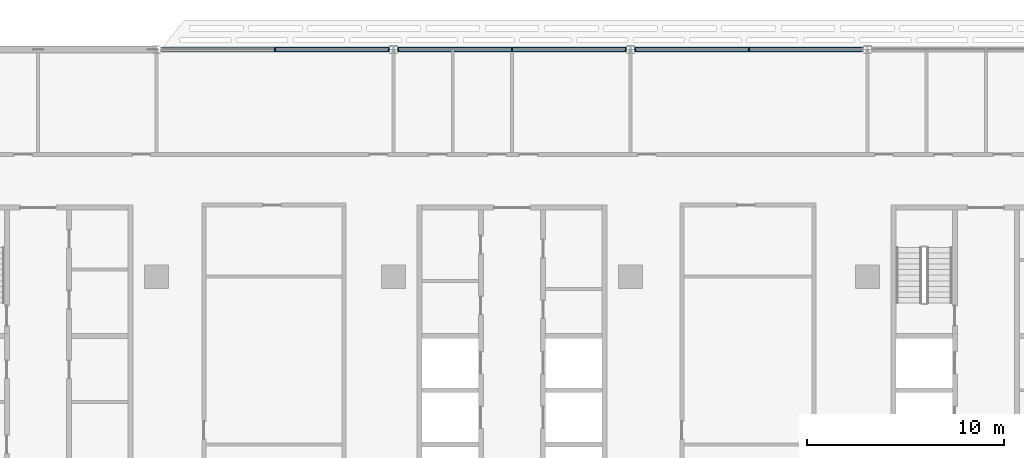
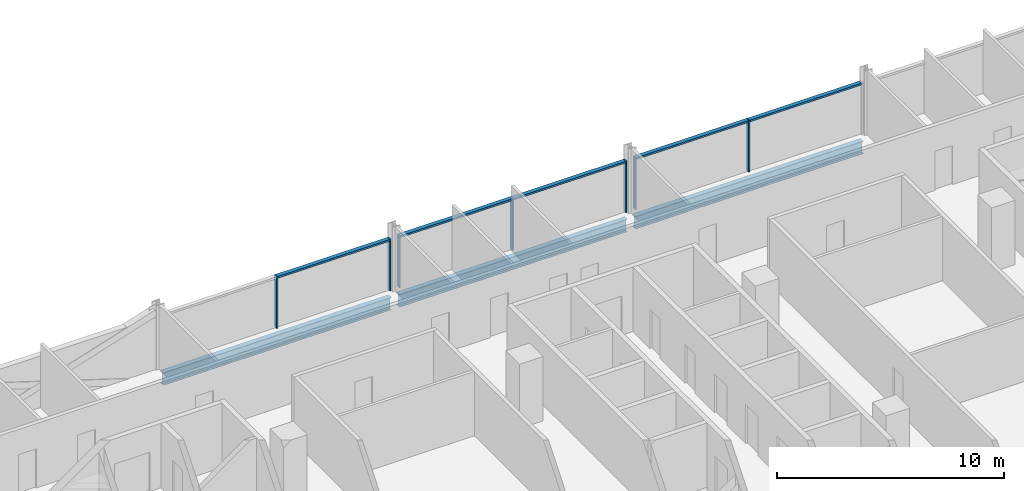
# One storey, part 7 of 27: 12 members, 3 beams, 3 elements without a shape of their own.
"""IFC4 building model written with IfcOpenShell, lengths in metres."""

from ifc_helpers import new_model, si_unit, direction, frame, origin, origin_2d, place, context, subcontext, project, spatial, rectangle, i_section, extrude, material, material_profile, profile_set, type_object, element, aggregate, save


model = new_model("IFC4")

# Units and contexts
model_context = context("Model", 3, precision=1e-05, world=origin(), true_north=direction((0.0, 1.0)))
body_context = subcontext(model_context, "Body", "Model", "MODEL_VIEW")
ifc_project = project(units=[si_unit("LENGTHUNIT", "METRE"), si_unit("AREAUNIT", "SQUARE_METRE"), si_unit("VOLUMEUNIT", "CUBIC_METRE"), si_unit("PLANEANGLEUNIT", "RADIAN"), si_unit("MASSUNIT", "GRAM", prefix="KILO")], contexts=[model_context])

# Site, building, storey
site_placement = place(None, origin())
site = spatial("IfcSite", under=ifc_project, at=site_placement, CompositionType="ELEMENT")
building_placement = place(site_placement, origin())
building = spatial("IfcBuilding", under=site, at=building_placement, Name="Mahtab Terrace Research Tower", CompositionType="ELEMENT")
storey_placement = place(building_placement, frame((0.0, 0.0, 170.60009765625)))
storey = spatial("IfcBuildingStorey", under=building, at=storey_placement, Name="L40", CompositionType="ELEMENT", Elevation=170.60009765625)

# Curtain wall, members
ifc_material_1 = material(Name="Laboratory ribbon curtain wall")
curtain_wall_type = type_object("IfcCurtainWallType", Name="Laboratory ribbon curtain wall", PredefinedType="NOTDEFINED", material=ifc_material_1)
curtain_wall_1_placement = place(storey_placement, origin())
curtain_wall_1 = element("IfcCurtainWall", 1, at=curtain_wall_1_placement, inside=storey, type_object=curtain_wall_type, Name="EN.L40.3.5", PredefinedType="NOTDEFINED")
ifc_material_2 = material(Name="Natural anodised aluminium", Category="aluminium")
ifc_material_profile_1 = material_profile(ifc_material_2, rectangle(XDim=0.199951171875, YDim=0.06494140625, at=origin_2d()), Name="MULLION 65x200")
ifc_profile_set_1 = profile_set([ifc_material_profile_1], Name="Natural anodised aluminium")
member_type_1 = type_object("IfcMemberType", Name="Laboratory ribbon curtain wall mullion", PredefinedType="MULLION", material=ifc_profile_set_1)
member_1_placement = place(storey_placement, frame((12.0, 23.0, 0.0), z_axis=(0.0, 0.0, 1.0), x_axis=(0.0, -1.0, 0.0)))
member_1 = element("IfcMember", 2, at=member_1_placement, type_object=member_type_1, Name="CWL-5 mullion 2", PredefinedType="MULLION", context=body_context, shape_type="SweptSolid", body=[
    extrude(rectangle(XDim=0.199951171875, YDim=0.06494140625, at=origin_2d()), origin(), (0.0, 0.0, 1.0), 2.78173828125),
])
member_2_placement = place(storey_placement, frame((6.240478515625, 23.0, 0.0), z_axis=(0.0, 0.0, 1.0), x_axis=(0.0, -1.0, 0.0)))
member_2 = element("IfcMember", 3, at=member_2_placement, type_object=member_type_1, Name="CWL-5 mullion 3", PredefinedType="MULLION", context=body_context, shape_type="SweptSolid", body=[
    extrude(rectangle(XDim=0.199951171875, YDim=0.06494140625, at=origin_2d()), origin(), (0.0, 0.0, 1.0), 2.78173828125),
])

curtain_wall_2_placement = place(storey_placement, origin())
curtain_wall_2 = element("IfcCurtainWall", 4, at=curtain_wall_2_placement, inside=storey, type_object=curtain_wall_type, Name="EN.L40.3.6", PredefinedType="NOTDEFINED")
member_3_placement = place(storey_placement, frame((5.759521484375, 23.0, 0.0), z_axis=(0.0, 0.0, 1.0), x_axis=(0.0, -1.0, 0.0)))
member_3 = element("IfcMember", 5, at=member_3_placement, type_object=member_type_1, Name="CWL-5 mullion 1", PredefinedType="MULLION", context=body_context, shape_type="SweptSolid", body=[
    extrude(rectangle(XDim=0.199951171875, YDim=0.06494140625, at=origin_2d()), origin(), (0.0, 0.0, 1.0), 2.78173828125),
])
member_4_placement = place(storey_placement, frame((0.0, 23.0, 0.0), z_axis=(0.0, 0.0, 1.0), x_axis=(0.0, -1.0, 0.0)))
member_4 = element("IfcMember", 6, at=member_4_placement, type_object=member_type_1, Name="CWL-5 mullion 2", PredefinedType="MULLION", context=body_context, shape_type="SweptSolid", body=[
    extrude(rectangle(XDim=0.199951171875, YDim=0.06494140625, at=origin_2d()), origin(), (0.0, 0.0, 1.0), 2.78173828125),
])
member_5_placement = place(storey_placement, frame((-5.759521484375, 23.0, 0.0), z_axis=(0.0, 0.0, 1.0), x_axis=(0.0, -1.0, 0.0)))
member_5 = element("IfcMember", 7, at=member_5_placement, type_object=member_type_1, Name="CWL-5 mullion 3", PredefinedType="MULLION", context=body_context, shape_type="SweptSolid", body=[
    extrude(rectangle(XDim=0.199951171875, YDim=0.06494140625, at=origin_2d()), origin(), (0.0, 0.0, 1.0), 2.78173828125),
])

curtain_wall_3_placement = place(storey_placement, origin())
curtain_wall_3 = element("IfcCurtainWall", 8, at=curtain_wall_3_placement, inside=storey, type_object=curtain_wall_type, Name="EN.L40.3.7", PredefinedType="NOTDEFINED")
member_6_placement = place(storey_placement, frame((-6.240478515625, 23.0, 0.0), z_axis=(0.0, 0.0, 1.0), x_axis=(0.0, -1.0, 0.0)))
member_6 = element("IfcMember", 9, at=member_6_placement, type_object=member_type_1, Name="CWL-5 mullion 1", PredefinedType="MULLION", context=body_context, shape_type="SweptSolid", body=[
    extrude(rectangle(XDim=0.199951171875, YDim=0.06494140625, at=origin_2d()), origin(), (0.0, 0.0, 1.0), 2.78173828125),
])
member_7_placement = place(storey_placement, frame((-12.0, 23.0, 0.0), z_axis=(0.0, 0.0, 1.0), x_axis=(0.0, -1.0, 0.0)))
member_7 = element("IfcMember", 10, at=member_7_placement, type_object=member_type_1, Name="CWL-5 mullion 2", PredefinedType="MULLION", context=body_context, shape_type="SweptSolid", body=[
    extrude(rectangle(XDim=0.199951171875, YDim=0.06494140625, at=origin_2d()), origin(), (0.0, 0.0, 1.0), 2.78173828125),
])

# Member
ifc_material_profile_2 = material_profile(ifc_material_2, rectangle(XDim=0.199951171875, YDim=0.10009765625, at=origin_2d()), Name="TRANSOM 100x200")
ifc_profile_set_2 = profile_set([ifc_material_profile_2], Name="Natural anodised aluminium")
member_type_2 = type_object("IfcMemberType", Name="Laboratory ribbon curtain wall transom", PredefinedType="USERDEFINED", material=ifc_profile_set_2)
member_8_placement = place(storey_placement, frame((17.72705078125, 23.0, 2.731689453125), z_axis=(-1.0, 0.0, 0.0), x_axis=(0.0, -1.0, 0.0)))
member_8 = element("IfcMember", 11, at=member_8_placement, type_object=member_type_2, Name="CWL-5 transom 1", ObjectType="TRANSOM", PredefinedType="USERDEFINED", context=body_context, shape_type="SweptSolid", body=[
    extrude(rectangle(XDim=0.199951171875, YDim=0.10009765625, at=origin_2d()), origin(), (0.0, 0.0, 1.0), 5.694580078125),
])

member_9_placement = place(storey_placement, frame((11.967529296875, 23.0, 2.731689453125), z_axis=(-1.0, 0.0, 0.0), x_axis=(0.0, -1.0, 0.0)))
member_9 = element("IfcMember", 12, at=member_9_placement, type_object=member_type_2, Name="CWL-5 transom 2", ObjectType="TRANSOM", PredefinedType="USERDEFINED", context=body_context, shape_type="SweptSolid", body=[
    extrude(rectangle(XDim=0.199951171875, YDim=0.10009765625, at=origin_2d()), origin(), (0.0, 0.0, 1.0), 5.694580078125),
])

aggregate(curtain_wall_1, [member_1, member_2, member_8, member_9])

member_10_placement = place(storey_placement, frame((5.72705078125, 23.0, 2.731689453125), z_axis=(-1.0, 0.0, 0.0), x_axis=(0.0, -1.0, 0.0)))
member_10 = element("IfcMember", 13, at=member_10_placement, type_object=member_type_2, Name="CWL-5 transom 1", ObjectType="TRANSOM", PredefinedType="USERDEFINED", context=body_context, shape_type="SweptSolid", body=[
    extrude(rectangle(XDim=0.199951171875, YDim=0.10009765625, at=origin_2d()), origin(), (0.0, 0.0, 1.0), 5.694580078125),
])

member_11_placement = place(storey_placement, frame((-0.032470703125, 23.0, 2.731689453125), z_axis=(-1.0, 0.0, 0.0), x_axis=(0.0, -1.0, 0.0)))
member_11 = element("IfcMember", 14, at=member_11_placement, type_object=member_type_2, Name="CWL-5 transom 2", ObjectType="TRANSOM", PredefinedType="USERDEFINED", context=body_context, shape_type="SweptSolid", body=[
    extrude(rectangle(XDim=0.199951171875, YDim=0.10009765625, at=origin_2d()), origin(), (0.0, 0.0, 1.0), 5.694580078125),
])

aggregate(curtain_wall_2, [member_3, member_4, member_5, member_10, member_11])

member_12_placement = place(storey_placement, frame((-6.27294921875, 23.0, 2.731689453125), z_axis=(-1.0, 0.0, 0.0), x_axis=(0.0, -1.0, 0.0)))
member_12 = element("IfcMember", 15, at=member_12_placement, type_object=member_type_2, Name="CWL-5 transom 1", ObjectType="TRANSOM", PredefinedType="USERDEFINED", context=body_context, shape_type="SweptSolid", body=[
    extrude(rectangle(XDim=0.199951171875, YDim=0.10009765625, at=origin_2d()), origin(), (0.0, 0.0, 1.0), 5.694580078125),
])

aggregate(curtain_wall_3, [member_6, member_7, member_12])

# Beams
ifc_material_3 = material(Name="Steel ASTM A992 Gr 50", Category="steel")
ifc_material_profile_3 = material_profile(ifc_material_3, i_section(OverallWidth=0.25390625, OverallDepth=0.67822265625, WebThickness=0.01171875, FlangeThickness=0.016357421875, at=origin_2d()), Name="W27X84")
ifc_profile_set_3 = profile_set([ifc_material_profile_3], Name="Steel ASTM A992 Gr 50")
beam_type = type_object("IfcBeamType", Name="W27x84 beam BS2784", PredefinedType="BEAM", material=ifc_profile_set_3)
for number, where, z_axis, x_axis, name in (
    (16, (17.796875, 23.0, -0.67919921875), (-1.0, 0.0, 0.0), (0.0, -1.0, 0.0), "Spandrel beam L40 03"),
    (17, (5.796875, 23.0, -0.67919921875), (-1.0, 0.0, 0.0), (0.0, -1.0, 0.0), "Spandrel beam L40 04"),
    (18, (-6.203125, 23.0, -0.67919921875), (-1.0, 0.0, 0.0), (0.0, -1.0, 0.0), "Spandrel beam L40 05"),
):
    element("IfcBeam", number, at=place(storey_placement, frame(where, z_axis=z_axis, x_axis=x_axis)), inside=storey, type_object=beam_type, Name=name, PredefinedType="BEAM", context=body_context, shape_type="SweptSolid", body=[
        extrude(i_section(OverallWidth=0.25390625, OverallDepth=0.67822265625, WebThickness=0.01171875, FlangeThickness=0.016357421875, at=origin_2d()), origin(), (0.0, 0.0, 1.0), 11.59375),
    ])

save(model, "model.ifc")
